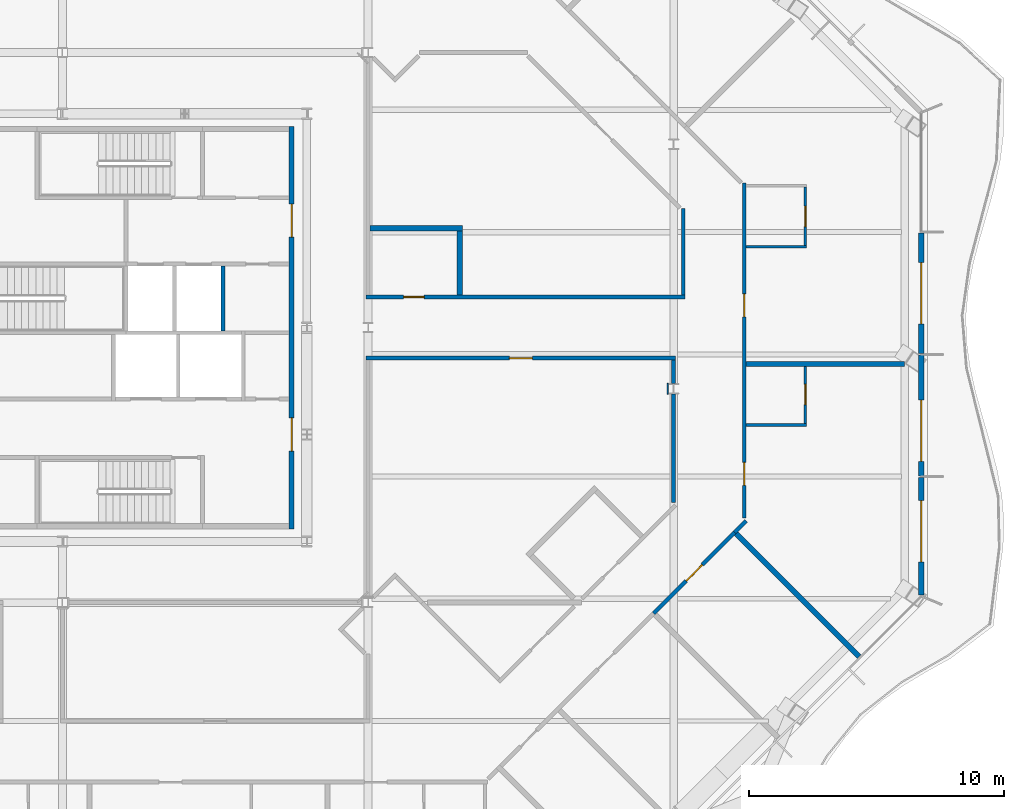
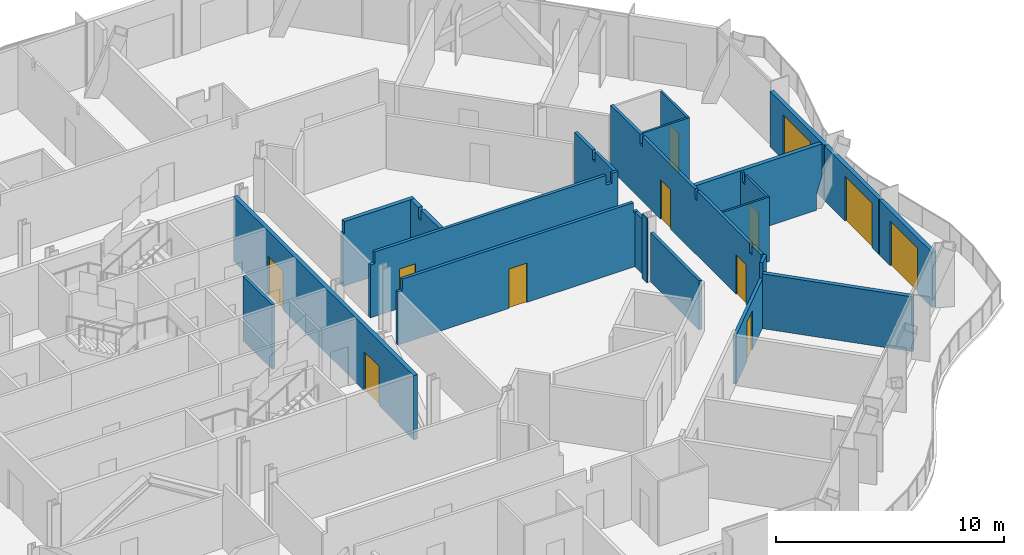
# One storey, part 10 of 19: 22 walls, 12 doors, 12 openings.
"""IFC4 building model written with IfcOpenShell, lengths in metres."""

from ifc_helpers import new_model, si_unit, direction, frame, frame_2d, origin, place, context, subcontext, project, spatial, polyline, rectangle, outline, extrude, material, layer, layer_set, type_object, element, fill, save


model = new_model("IFC4")

# Units and contexts
model_context = context("Model", 3, precision=1e-05, world=origin(), true_north=direction((0.0, 1.0)))
body_context = subcontext(model_context, "Body", "Model", "MODEL_VIEW")
ifc_project = project(units=[si_unit("LENGTHUNIT", "METRE"), si_unit("AREAUNIT", "SQUARE_METRE"), si_unit("VOLUMEUNIT", "CUBIC_METRE"), si_unit("PLANEANGLEUNIT", "RADIAN"), si_unit("MASSUNIT", "GRAM", prefix="KILO")], contexts=[model_context])

# Site, building, storey
site_placement = place(None, origin())
site = spatial("IfcSite", under=ifc_project, at=site_placement, CompositionType="ELEMENT")
building_placement = place(site_placement, origin())
building = spatial("IfcBuilding", under=site, at=building_placement, Name="Cairn Pilgrim Tower", CompositionType="ELEMENT")
storey_placement = place(building_placement, frame((0.0, 0.0, 190.199951171875)))
storey = spatial("IfcBuildingStorey", under=building, at=storey_placement, Name="L48", CompositionType="ELEMENT", Elevation=190.199951171875)

# Wall, opening, door
ifc_material_1 = material(Name="Bronze anodised aluminium insulated sandwich panel with mineral wool fill", Category="aluminium")
ifc_layer_1 = layer(ifc_material_1, 0.199951171875)
ifc_layer_set_1 = layer_set([ifc_layer_1], Name="BRONZE INFILL FRAME WALL 200")
wall_type_1 = type_object("IfcWallType", Name="BRONZE INFILL FRAME WALL 200", PredefinedType="NOTDEFINED", material=ifc_layer_set_1)
wall_1_placement = place(storey_placement, frame((40.925048828125, -8.1064453125, 0.0), z_axis=(0.0, 0.0, 1.0), x_axis=(0.0, 1.0, 0.0)))
wall_1 = element("IfcWall", 1, at=wall_1_placement, inside=storey, type_object=wall_type_1, Name="Bronze infill frame wall IW-E1", PredefinedType="NOTDEFINED", context=body_context, shape_type="SweptSolid", body=[
    extrude(rectangle(XDim=4.62646484375, YDim=0.199951171875, at=frame_2d((2.313232421875, 0.0))), origin(), (0.0, 0.0, 1.0), 2.949951171875),
])
opening_1_placement = place(wall_1_placement, frame((1.308349609375, 0.0, 0.0)))
opening_1 = element("IfcOpeningElement", 2, at=opening_1_placement, cuts=wall_1, Name="Opening 4806B", PredefinedType="OPENING", context=body_context, shape_type="SweptSolid", body=[
    extrude(rectangle(XDim=2.39990234375, YDim=2.39990234375, at=frame_2d((1.199951171875, 1.199951171875))), frame((0.0, 0.10986328125, 0.0), z_axis=(0.0, -1.0, 0.0), x_axis=(1.0, 0.0, 0.0)), (0.0, 0.0, 1.0), 0.219970703125),
])
ifc_material_2 = material(Name="Bronze anodised aluminium frame with tinted low-E glass", Category="aluminium")
door_type_1 = type_object("IfcDoorType", Name="BALCONY SLIDING DOOR 2400x2400", OperationType="DOUBLE_DOOR_SLIDING", PredefinedType="DOOR", material=ifc_material_2)
door_1_placement = place(opening_1_placement, origin())
door_1 = element("IfcDoor", 3, at=door_1_placement, inside=storey, type_object=door_type_1, Name="Balcony sliding door 4806B", OperationType="SINGLE_SWING_LEFT", OverallHeight=2.39990234375, OverallWidth=2.39990234375, PredefinedType="DOOR", context=body_context, shape_type="SweptSolid", body=[
    extrude(rectangle(XDim=2.39990234375, YDim=2.39990234375, at=frame_2d((1.199951171875, 1.199951171875))), frame((0.0, 0.02490234375, 0.0), z_axis=(0.0, -1.0, 0.0), x_axis=(1.0, 0.0, 0.0)), (0.0, 0.0, 1.0), 0.050048828125),
])
fill(opening_1, door_1)

wall_2_placement = place(storey_placement, frame((40.925048828125, -3.419921875, 0.0), z_axis=(0.0, 0.0, 1.0), x_axis=(0.0, 1.0, 0.0)))
wall_2 = element("IfcWall", 4, at=wall_2_placement, inside=storey, type_object=wall_type_1, Name="Bronze infill frame wall IW-E2", PredefinedType="NOTDEFINED", context=body_context, shape_type="SweptSolid", body=[
    extrude(rectangle(XDim=4.739990234375, YDim=0.199951171875, at=frame_2d((2.3701171875, 0.0))), origin(), (0.0, 0.0, 1.0), 2.949951171875),
])
opening_2_placement = place(wall_2_placement, frame((0.570068359375, 0.0, 0.0)))
opening_2 = element("IfcOpeningElement", 5, at=opening_2_placement, cuts=wall_2, Name="Opening 4806B2", PredefinedType="OPENING", context=body_context, shape_type="SweptSolid", body=[
    extrude(rectangle(XDim=2.39990234375, YDim=2.39990234375, at=frame_2d((1.199951171875, 1.199951171875))), frame((0.0, 0.10986328125, 0.0), z_axis=(0.0, -1.0, 0.0), x_axis=(1.0, 0.0, 0.0)), (0.0, 0.0, 1.0), 0.219970703125),
])
door_2_placement = place(opening_2_placement, origin())
door_2 = element("IfcDoor", 6, at=door_2_placement, inside=storey, type_object=door_type_1, Name="Balcony sliding door 4806B2", OperationType="SINGLE_SWING_LEFT", OverallHeight=2.39990234375, OverallWidth=2.39990234375, PredefinedType="DOOR", context=body_context, shape_type="SweptSolid", body=[
    extrude(rectangle(XDim=2.39990234375, YDim=2.39990234375, at=frame_2d((1.199951171875, 1.199951171875))), frame((0.0, 0.02490234375, 0.0), z_axis=(0.0, -1.0, 0.0), x_axis=(1.0, 0.0, 0.0)), (0.0, 0.0, 1.0), 0.050048828125),
])
fill(opening_2, door_2)

wall_3_placement = place(storey_placement, frame((40.925048828125, 1.3798828125, 0.0), z_axis=(0.0, 0.0, 1.0), x_axis=(0.0, 1.0, 0.0)))
wall_3 = element("IfcWall", 7, at=wall_3_placement, inside=storey, type_object=wall_type_1, Name="Bronze infill frame wall IW-E3", PredefinedType="NOTDEFINED", context=body_context, shape_type="SweptSolid", body=[
    extrude(rectangle(XDim=4.740234375, YDim=0.199951171875, at=frame_2d((2.3701171875, 0.0))), origin(), (0.0, 0.0, 1.0), 2.949951171875),
])
opening_3_placement = place(wall_3_placement, frame((1.169921875, 0.0, 0.0)))
opening_3 = element("IfcOpeningElement", 8, at=opening_3_placement, cuts=wall_3, Name="Opening 4807B", PredefinedType="OPENING", context=body_context, shape_type="SweptSolid", body=[
    extrude(rectangle(XDim=2.39990234375, YDim=2.39990234375, at=frame_2d((1.199951171875, 1.199951171875))), frame((0.0, 0.10986328125, 0.0), z_axis=(0.0, -1.0, 0.0), x_axis=(1.0, 0.0, 0.0)), (0.0, 0.0, 1.0), 0.219970703125),
])
door_3_placement = place(opening_3_placement, origin())
door_3 = element("IfcDoor", 9, at=door_3_placement, inside=storey, type_object=door_type_1, Name="Balcony sliding door 4807B", OperationType="SINGLE_SWING_LEFT", OverallHeight=2.39990234375, OverallWidth=2.39990234375, PredefinedType="DOOR", context=body_context, shape_type="SweptSolid", body=[
    extrude(rectangle(XDim=2.39990234375, YDim=2.39990234375, at=frame_2d((1.199951171875, 1.199951171875))), frame((0.0, 0.02490234375, 0.0), z_axis=(0.0, -1.0, 0.0), x_axis=(1.0, 0.0, 0.0)), (0.0, 0.0, 1.0), 0.050048828125),
])
fill(opening_3, door_3)

# Wall, openings, doors
ifc_material_3 = material(Name="Concrete C32/40", Category="concrete")
ifc_layer_2 = layer(ifc_material_3, 0.199951171875)
ifc_layer_set_2 = layer_set([ifc_layer_2], Name="CORE OUTER WALL 200 EI 120")
wall_type_2 = type_object("IfcWallType", Name="CORE OUTER WALL 200 EI 120", PredefinedType="SOLIDWALL", material=ifc_layer_set_2)
wall_4_placement = place(storey_placement, frame((16.199951171875, -5.5, 0.0), z_axis=(0.0, 0.0, 1.0), x_axis=(0.0, 1.0, 0.0)))
wall_4 = element("IfcWall", 10, at=wall_4_placement, inside=storey, type_object=wall_type_2, Name="CW:L48:V29", PredefinedType="SOLIDWALL", context=body_context, shape_type="SweptSolid", body=[
    extrude(rectangle(XDim=15.800048828125, YDim=0.199951171875, at=frame_2d((7.89990234375, 0.0))), origin(), (0.0, 0.0, 1.0), 3.449951171875),
])
opening_4_placement = place(wall_4_placement, frame((3.050048828125, 0.0, 0.0)))
opening_4 = element("IfcOpeningElement", 11, at=opening_4_placement, cuts=wall_4, Name="Opening CD-E1", PredefinedType="OPENING", context=body_context, shape_type="SweptSolid", body=[
    extrude(rectangle(XDim=1.300048828125, YDim=2.10009765625, at=frame_2d((0.64990234375, 1.050048828125))), frame((0.0, 0.10986328125, 0.0), z_axis=(0.0, -1.0, 0.0), x_axis=(1.0, 0.0, 0.0)), (0.0, 0.0, 1.0), 0.219970703125),
])
opening_5_placement = place(wall_4_placement, frame((11.449951171875, 0.0, 0.0)))
opening_5 = element("IfcOpeningElement", 12, at=opening_5_placement, cuts=wall_4, Name="Opening CD-E2", PredefinedType="OPENING", context=body_context, shape_type="SweptSolid", body=[
    extrude(rectangle(XDim=1.300048828125, YDim=2.10009765625, at=frame_2d((0.64990234375, 1.050048828125))), frame((0.0, 0.10986328125, 0.0), z_axis=(0.0, -1.0, 0.0), x_axis=(1.0, 0.0, 0.0)), (0.0, 0.0, 1.0), 0.219970703125),
])
ifc_material_4 = material(Name="Painted steel", Category="steel")
door_type_2 = type_object("IfcDoorType", Name="CORE LOBBY DOOR 1300x2100", OperationType="DOUBLE_DOOR_SINGLE_SWING", PredefinedType="DOOR", material=ifc_material_4)
door_4_placement = place(opening_4_placement, origin())
door_4 = element("IfcDoor", 13, at=door_4_placement, inside=storey, type_object=door_type_2, Name="CD-E1", OperationType="DOUBLE_DOOR_SINGLE_SWING", OverallHeight=2.10009765625, OverallWidth=1.300048828125, PredefinedType="DOOR", context=body_context, shape_type="SweptSolid", body=[
    extrude(rectangle(XDim=1.300048828125, YDim=2.10009765625, at=frame_2d((0.64990234375, 1.050048828125))), frame((0.0, 0.02490234375, 0.0), z_axis=(0.0, -1.0, 0.0), x_axis=(1.0, 0.0, 0.0)), (0.0, 0.0, 1.0), 0.050048828125),
])
fill(opening_4, door_4)
door_5_placement = place(opening_5_placement, origin())
door_5 = element("IfcDoor", 14, at=door_5_placement, inside=storey, type_object=door_type_2, Name="CD-E2", OperationType="DOUBLE_DOOR_SINGLE_SWING", OverallHeight=2.10009765625, OverallWidth=1.300048828125, PredefinedType="DOOR", context=body_context, shape_type="SweptSolid", body=[
    extrude(rectangle(XDim=1.300048828125, YDim=2.10009765625, at=frame_2d((0.64990234375, 1.050048828125))), frame((0.0, 0.02490234375, 0.0), z_axis=(0.0, -1.0, 0.0), x_axis=(1.0, 0.0, 0.0)), (0.0, 0.0, 1.0), 0.050048828125),
])
fill(opening_5, door_5)

# Walls
ifc_layer_3 = layer(ifc_material_3, 0.14990234375)
ifc_layer_set_3 = layer_set([ifc_layer_3], Name="CORE SHAFT WALL 150 EI 120")
wall_type_3 = type_object("IfcWallType", Name="CORE SHAFT WALL 150 EI 120", PredefinedType="SOLIDWALL", material=ifc_layer_set_3)
wall_5_placement = place(storey_placement, frame((13.5, 2.27490234375, 0.0), z_axis=(0.0, 0.0, 1.0), x_axis=(0.0, 1.0, 0.0)))
element("IfcWall", 15, at=wall_5_placement, inside=storey, type_object=wall_type_3, Name="CW:L48:V27", PredefinedType="SOLIDWALL", context=body_context, shape_type="SweptSolid", body=[
    extrude(rectangle(XDim=2.550048828125, YDim=0.14990234375, at=frame_2d((1.27490234375, 0.0))), origin(), (0.0, 0.0, 1.0), 3.449951171875),
])
ifc_material_5 = material(Name="Gypsum partition")
ifc_layer_4 = layer(ifc_material_5, 0.10009765625)
ifc_layer_set_4 = layer_set([ifc_layer_4], Name="PARTITION 100 DRYWALL")
wall_type_4 = type_object("IfcWallType", Name="PARTITION 100 DRYWALL", PredefinedType="PARTITIONING", material=ifc_layer_set_4)
wall_6_placement = place(storey_placement, frame((34.050048828125, -1.425048828125, 0.0), z_axis=(0.0, 0.0, 1.0), x_axis=(1.0, 0.0, 0.0)))
element("IfcWall", 16, at=wall_6_placement, inside=storey, type_object=wall_type_4, Name="PARTITION W050", PredefinedType="PARTITIONING", context=body_context, shape_type="SweptSolid", body=[
    extrude(rectangle(XDim=2.375, YDim=0.10009765625, at=frame_2d((1.1875, 0.0))), origin(), (0.0, 0.0, 1.0), 3.449951171875),
])

# Wall, opening, door
wall_7_placement = place(storey_placement, frame((36.375, -1.375, 0.0), z_axis=(0.0, 0.0, 1.0), x_axis=(0.0, 1.0, 0.0)))
wall_7 = element("IfcWall", 17, at=wall_7_placement, inside=storey, type_object=wall_type_4, Name="PARTITION W051", PredefinedType="PARTITIONING", context=body_context, shape_type="SweptSolid", body=[
    extrude(outline(polyline([(0.0, 0.0), (2.25, 0.0), (2.25, 3.449951171875), (2.074951171875, 3.449951171875), (2.072998046875, 2.929931640625), (1.875, 2.929931640625), (1.873046875, 3.449951171875), (0.0, 3.449951171875), (0.0, 0.0)])), frame((0.0, 0.050048828125, 0.0), z_axis=(0.0, -1.0, 0.0), x_axis=(1.0, 0.0, 0.0)), (0.0, 0.0, 1.0), 0.10009765625),
])
opening_6_placement = place(wall_7_placement, frame((0.75, 0.0, 0.0)))
opening_6 = element("IfcOpeningElement", 18, at=opening_6_placement, cuts=wall_7, Name="Opening 4806A", PredefinedType="OPENING", context=body_context, shape_type="SweptSolid", body=[
    extrude(rectangle(XDim=0.800048828125, YDim=2.10009765625, at=frame_2d((0.39990234375, 1.050048828125))), frame((0.0, 0.06005859375, 0.0), z_axis=(0.0, -1.0, 0.0), x_axis=(1.0, 0.0, 0.0)), (0.0, 0.0, 1.0), 0.1201171875),
])
ifc_material_6 = material(Name="Timber door leaf", Category="wood")
door_type_3 = type_object("IfcDoorType", Name="WC DOOR 800x2100", OperationType="NOTDEFINED", PredefinedType="DOOR", material=ifc_material_6)
door_6_placement = place(opening_6_placement, frame((0.800048828125, 0.0, 0.0), z_axis=(0.0, 0.0, 1.0), x_axis=(-1.0, 0.0, 0.0)))
door_6 = element("IfcDoor", 19, at=door_6_placement, inside=storey, type_object=door_type_3, Name="DOOR 4806A", OperationType="SINGLE_SWING_RIGHT", OverallHeight=2.10009765625, OverallWidth=0.800048828125, PredefinedType="DOOR", context=body_context, shape_type="SweptSolid", body=[
    extrude(rectangle(XDim=0.800048828125, YDim=2.10009765625, at=frame_2d((0.39990234375, 1.050048828125))), frame((0.0, 0.02490234375, 0.0), z_axis=(0.0, -1.0, 0.0), x_axis=(1.0, 0.0, 0.0)), (0.0, 0.0, 1.0), 0.050048828125),
])
fill(opening_6, door_6)

# Wall
wall_8_placement = place(storey_placement, frame((34.050048828125, 5.568115234375, 0.0), z_axis=(0.0, 0.0, 1.0), x_axis=(1.0, 0.0, 0.0)))
element("IfcWall", 20, at=wall_8_placement, inside=storey, type_object=wall_type_4, Name="PARTITION W063", PredefinedType="PARTITIONING", context=body_context, shape_type="SweptSolid", body=[
    extrude(rectangle(XDim=2.375, YDim=0.10009765625, at=frame_2d((1.1875, 0.0))), origin(), (0.0, 0.0, 1.0), 3.449951171875),
])

# Wall, opening, door
wall_9_placement = place(storey_placement, frame((36.375, 5.617919921875, 0.0), z_axis=(0.0, 0.0, 1.0), x_axis=(0.0, 1.0, 0.0)))
wall_9 = element("IfcWall", 21, at=wall_9_placement, inside=storey, type_object=wall_type_4, Name="PARTITION W064", PredefinedType="PARTITIONING", context=body_context, shape_type="SweptSolid", body=[
    extrude(rectangle(XDim=2.300048828125, YDim=0.10009765625, at=frame_2d((1.14990234375, 0.0))), origin(), (0.0, 0.0, 1.0), 3.449951171875),
])
opening_7_placement = place(wall_9_placement, frame((0.75, 0.0, 0.0)))
opening_7 = element("IfcOpeningElement", 22, at=opening_7_placement, cuts=wall_9, Name="Opening 4807A", PredefinedType="OPENING", context=body_context, shape_type="SweptSolid", body=[
    extrude(rectangle(XDim=0.800048828125, YDim=2.10009765625, at=frame_2d((0.39990234375, 1.050048828125))), frame((0.0, 0.06005859375, 0.0), z_axis=(0.0, -1.0, 0.0), x_axis=(1.0, 0.0, 0.0)), (0.0, 0.0, 1.0), 0.1201171875),
])
door_7_placement = place(opening_7_placement, frame((0.800048828125, 0.0, 0.0), z_axis=(0.0, 0.0, 1.0), x_axis=(-1.0, 0.0, 0.0)))
door_7 = element("IfcDoor", 23, at=door_7_placement, inside=storey, type_object=door_type_3, Name="DOOR 4807A", OperationType="SINGLE_SWING_RIGHT", OverallHeight=2.10009765625, OverallWidth=0.800048828125, PredefinedType="DOOR", context=body_context, shape_type="SweptSolid", body=[
    extrude(rectangle(XDim=0.800048828125, YDim=2.10009765625, at=frame_2d((0.39990234375, 1.050048828125))), frame((0.0, 0.02490234375, 0.0), z_axis=(0.0, -1.0, 0.0), x_axis=(1.0, 0.0, 0.0)), (0.0, 0.0, 1.0), 0.050048828125),
])
fill(opening_7, door_7)

ifc_layer_5 = layer(ifc_material_5, 0.14990234375)
ifc_layer_set_5 = layer_set([ifc_layer_5], Name="PARTITION 150 DRYWALL EI 60")
wall_type_5 = type_object("IfcWallType", Name="PARTITION 150 DRYWALL EI 60", PredefinedType="PARTITIONING", material=ifc_layer_set_5)
wall_10_placement = place(storey_placement, frame((30.4208984375, -8.821044921875, 0.0), z_axis=(0.0, 0.0, 1.0), x_axis=(0.70724246319, 0.706971073143, 0.0)))
wall_10 = element("IfcWall", 24, at=wall_10_placement, inside=storey, type_object=wall_type_5, Name="PARTITION W035", PredefinedType="PARTITIONING", context=body_context, shape_type="SweptSolid", body=[
    extrude(rectangle(XDim=4.498046875, YDim=0.14990234375, at=frame_2d((2.2490234375, 0.0))), origin(), (0.0, 0.0, 1.0), 2.630126953125),
])
opening_8_placement = place(wall_10_placement, frame((1.798828125, 0.0, 0.0)))
opening_8 = element("IfcOpeningElement", 25, at=opening_8_placement, cuts=wall_10, Name="Opening 4805", PredefinedType="OPENING", context=body_context, shape_type="SweptSolid", body=[
    extrude(rectangle(XDim=0.89990234375, YDim=2.10009765625, at=frame_2d((0.449951171875, 1.050048828125))), frame((0.0, 0.0849609375, 0.0), z_axis=(0.0, -1.0, 0.0), x_axis=(1.0, 0.0, 0.0)), (0.0, 0.0, 1.0), 0.169921875),
])
door_type_4 = type_object("IfcDoorType", Name="SERVICE DOOR 900x2100 FD30S", OperationType="NOTDEFINED", PredefinedType="DOOR", material=ifc_material_6)
door_8_placement = place(opening_8_placement, frame((0.89990234375, 0.0, 0.0), z_axis=(0.0, 0.0, 1.0), x_axis=(-1.0, 0.0, 0.0)))
door_8 = element("IfcDoor", 26, at=door_8_placement, inside=storey, type_object=door_type_4, Name="DOOR 4805", OperationType="SINGLE_SWING_RIGHT", OverallHeight=2.10009765625, OverallWidth=0.89990234375, PredefinedType="DOOR", context=body_context, shape_type="SweptSolid", body=[
    extrude(rectangle(XDim=0.89990234375, YDim=2.10009765625, at=frame_2d((0.449951171875, 1.050048828125))), frame((0.0, 0.02490234375, 0.0), z_axis=(0.0, -1.0, 0.0), x_axis=(1.0, 0.0, 0.0)), (0.0, 0.0, 1.0), 0.050048828125),
])
fill(opening_8, door_8)

# Wall
wall_11_placement = place(storey_placement, frame((33.60205078125, -5.64111328125, 0.0), z_axis=(0.0, 0.0, 1.0), x_axis=(0.707106781187, 0.707106781187, 0.0)))
element("IfcWall", 27, at=wall_11_placement, inside=storey, type_object=wall_type_5, Name="PARTITION W047", PredefinedType="PARTITIONING", context=body_context, shape_type="SweptSolid", body=[
    extrude(rectangle(XDim=0.633544921875, YDim=0.14990234375, at=frame_2d((0.31689453125, 0.0))), origin(), (0.0, 0.0, 1.0), 3.449951171875),
])

# Wall, openings, doors
wall_12_placement = place(storey_placement, frame((33.97509765625, -5.0869140625, 0.0), z_axis=(0.0, 0.0, 1.0), x_axis=(0.0, 1.0, 0.0)))
wall_12 = element("IfcWall", 28, at=wall_12_placement, inside=storey, type_object=wall_type_5, Name="PARTITION W048", PredefinedType="PARTITIONING", context=body_context, shape_type="SweptSolid", body=[
    extrude(outline(polyline([(0.0, 0.0), (13.1611328125, 0.0), (13.160888671875, 3.449951171875), (10.5869140625, 3.449951171875), (10.5849609375, 2.929931640625), (10.386962890625, 2.929931640625), (10.385009765625, 3.449951171875), (5.786865234375, 3.449951171875), (5.784912109375, 2.929931640625), (5.5869140625, 2.929931640625), (5.5849609375, 3.449951171875), (0.98681640625, 3.449951171875), (0.98486328125, 2.929931640625), (0.786865234375, 2.929931640625), (0.784912109375, 3.449951171875), (0.0, 3.449951171875), (0.0, 0.0)])), frame((0.0, 0.074951171875, 0.0), z_axis=(0.0, -1.0, 0.0), x_axis=(1.0, 0.0, 0.0)), (0.0, 0.0, 1.0), 0.14990234375),
])
opening_9_placement = place(wall_12_placement, frame((1.291015625, 0.0, 0.0)))
opening_9 = element("IfcOpeningElement", 29, at=opening_9_placement, cuts=wall_12, Name="Opening 4806", PredefinedType="OPENING", context=body_context, shape_type="SweptSolid", body=[
    extrude(rectangle(XDim=0.89990234375, YDim=2.10009765625, at=frame_2d((0.449951171875, 1.050048828125))), frame((0.0, 0.0849609375, 0.0), z_axis=(0.0, -1.0, 0.0), x_axis=(1.0, 0.0, 0.0)), (0.0, 0.0, 1.0), 0.169921875),
])
opening_10_placement = place(wall_12_placement, frame((7.908935546875, 0.0, 0.0)))
opening_10 = element("IfcOpeningElement", 30, at=opening_10_placement, cuts=wall_12, Name="Opening 4807", PredefinedType="OPENING", context=body_context, shape_type="SweptSolid", body=[
    extrude(rectangle(XDim=0.89990234375, YDim=2.10009765625, at=frame_2d((0.449951171875, 1.050048828125))), frame((0.0, 0.0849609375, 0.0), z_axis=(0.0, -1.0, 0.0), x_axis=(1.0, 0.0, 0.0)), (0.0, 0.0, 1.0), 0.169921875),
])
door_type_5 = type_object("IfcDoorType", Name="ROOM DOOR 900x2100 FD30S", OperationType="NOTDEFINED", PredefinedType="DOOR", material=ifc_material_6)
door_9_placement = place(opening_9_placement, frame((0.89990234375, 0.0, 0.0), z_axis=(0.0, 0.0, 1.0), x_axis=(-1.0, 0.0, 0.0)))
door_9 = element("IfcDoor", 31, at=door_9_placement, inside=storey, type_object=door_type_5, Name="DOOR 4806", OperationType="SINGLE_SWING_RIGHT", OverallHeight=2.10009765625, OverallWidth=0.89990234375, PredefinedType="DOOR", context=body_context, shape_type="SweptSolid", body=[
    extrude(rectangle(XDim=0.89990234375, YDim=2.10009765625, at=frame_2d((0.449951171875, 1.050048828125))), frame((0.0, 0.02490234375, 0.0), z_axis=(0.0, -1.0, 0.0), x_axis=(1.0, 0.0, 0.0)), (0.0, 0.0, 1.0), 0.050048828125),
])
fill(opening_9, door_9)
door_10_placement = place(opening_10_placement, frame((0.89990234375, 0.0, 0.0), z_axis=(0.0, 0.0, 1.0), x_axis=(-1.0, 0.0, 0.0)))
door_10 = element("IfcDoor", 32, at=door_10_placement, inside=storey, type_object=door_type_5, Name="DOOR 4807", OperationType="SINGLE_SWING_RIGHT", OverallHeight=2.10009765625, OverallWidth=0.89990234375, PredefinedType="DOOR", context=body_context, shape_type="SweptSolid", body=[
    extrude(rectangle(XDim=0.89990234375, YDim=2.10009765625, at=frame_2d((0.449951171875, 1.050048828125))), frame((0.0, 0.02490234375, 0.0), z_axis=(0.0, -1.0, 0.0), x_axis=(1.0, 0.0, 0.0)), (0.0, 0.0, 1.0), 0.050048828125),
])
fill(opening_10, door_10)

# Walls
wall_13_placement = place(storey_placement, frame((31.199951171875, -4.466796875, 0.0), z_axis=(0.0, 0.0, 1.0), x_axis=(0.0, 1.0, 0.0)))
element("IfcWall", 33, at=wall_13_placement, inside=storey, type_object=wall_type_5, Name="PARTITION W049", PredefinedType="PARTITIONING", context=body_context, shape_type="SweptSolid", body=[
    extrude(rectangle(XDim=4.25439453125, YDim=0.14990234375, at=frame_2d((2.127197265625, 0.0))), origin(), (0.0, 0.0, 1.0), 2.630126953125),
])
wall_14_placement = place(storey_placement, frame((31.199951171875, 0.21240234375, 0.0), z_axis=(0.0, 0.0, 1.0), x_axis=(0.0, 1.0, 0.0)))
element("IfcWall", 34, at=wall_14_placement, inside=storey, type_object=wall_type_5, Name="PARTITION W052", PredefinedType="PARTITIONING", context=body_context, shape_type="SweptSolid", body=[
    extrude(rectangle(XDim=0.91259765625, YDim=0.14990234375, at=frame_2d((0.456298828125, 0.0))), origin(), (0.0, 0.0, 1.0), 2.929931640625),
])

# Wall, opening, door
wall_15_placement = place(storey_placement, frame((19.125, 1.199951171875, 0.0), z_axis=(0.0, 0.0, 1.0), x_axis=(1.0, 0.0, 0.0)))
wall_15 = element("IfcWall", 35, at=wall_15_placement, inside=storey, type_object=wall_type_5, Name="PARTITION W057", PredefinedType="PARTITIONING", context=body_context, shape_type="SweptSolid", body=[
    extrude(outline(polyline([(0.0, 0.0), (12.14990234375, 0.0), (12.14990234375, 2.929931640625), (11.925048828125, 2.929931640625), (11.923095703125, 3.449951171875), (0.22509765625, 3.449951171875), (0.222900390625, 2.830078125), (0.0, 2.830078125), (0.0, 0.0)])), frame((0.0, 0.074951171875, 0.0), z_axis=(0.0, -1.0, 0.0), x_axis=(1.0, 0.0, 0.0)), (0.0, 0.0, 1.0), 0.14990234375),
])
opening_11_placement = place(wall_15_placement, frame((5.625, 0.0, 0.0)))
opening_11 = element("IfcOpeningElement", 36, at=opening_11_placement, cuts=wall_15, Name="Opening 4823", PredefinedType="OPENING", context=body_context, shape_type="SweptSolid", body=[
    extrude(rectangle(XDim=0.89990234375, YDim=2.10009765625, at=frame_2d((0.449951171875, 1.050048828125))), frame((0.0, 0.0849609375, 0.0), z_axis=(0.0, -1.0, 0.0), x_axis=(1.0, 0.0, 0.0)), (0.0, 0.0, 1.0), 0.169921875),
])
door_11_placement = place(opening_11_placement, frame((0.89990234375, 0.0, 0.0), z_axis=(0.0, 0.0, 1.0), x_axis=(-1.0, 0.0, 0.0)))
door_11 = element("IfcDoor", 37, at=door_11_placement, inside=storey, type_object=door_type_4, Name="DOOR 4823", OperationType="SINGLE_SWING_RIGHT", OverallHeight=2.10009765625, OverallWidth=0.89990234375, PredefinedType="DOOR", context=body_context, shape_type="SweptSolid", body=[
    extrude(rectangle(XDim=0.89990234375, YDim=2.10009765625, at=frame_2d((0.449951171875, 1.050048828125))), frame((0.0, 0.02490234375, 0.0), z_axis=(0.0, -1.0, 0.0), x_axis=(1.0, 0.0, 0.0)), (0.0, 0.0, 1.0), 0.050048828125),
])
fill(opening_11, door_11)

wall_16_placement = place(storey_placement, frame((19.125, 3.60009765625, 0.0), z_axis=(0.0, 0.0, 1.0), x_axis=(1.0, 0.0, 0.0)))
wall_16 = element("IfcWall", 38, at=wall_16_placement, inside=storey, type_object=wall_type_5, Name="PARTITION W059", PredefinedType="PARTITIONING", context=body_context, shape_type="SweptSolid", body=[
    extrude(outline(polyline([(0.0, 0.0), (12.52490234375, 0.0), (12.52490234375, 3.449951171875), (12.22509765625, 3.449951171875), (12.222900390625, 2.929931640625), (11.925048828125, 2.929931640625), (11.923095703125, 3.449951171875), (0.22509765625, 3.449951171875), (0.222900390625, 2.830078125), (0.0, 2.830078125), (0.0, 0.0)])), frame((0.0, 0.074951171875, 0.0), z_axis=(0.0, -1.0, 0.0), x_axis=(1.0, 0.0, 0.0)), (0.0, 0.0, 1.0), 0.14990234375),
])
opening_12_placement = place(wall_16_placement, frame((1.47509765625, 0.0, 0.0)))
opening_12 = element("IfcOpeningElement", 39, at=opening_12_placement, cuts=wall_16, Name="Opening 4820", PredefinedType="OPENING", context=body_context, shape_type="SweptSolid", body=[
    extrude(rectangle(XDim=0.800048828125, YDim=2.10009765625, at=frame_2d((0.39990234375, 1.050048828125))), frame((0.0, 0.0849609375, 0.0), z_axis=(0.0, -1.0, 0.0), x_axis=(1.0, 0.0, 0.0)), (0.0, 0.0, 1.0), 0.169921875),
])
door_type_6 = type_object("IfcDoorType", Name="WC DOOR 800x2100 FD30S", OperationType="NOTDEFINED", PredefinedType="DOOR", material=ifc_material_6)
door_12_placement = place(opening_12_placement, origin())
door_12 = element("IfcDoor", 40, at=door_12_placement, inside=storey, type_object=door_type_6, Name="DOOR 4820", OperationType="SINGLE_SWING_RIGHT", OverallHeight=2.10009765625, OverallWidth=0.800048828125, PredefinedType="DOOR", context=body_context, shape_type="SweptSolid", body=[
    extrude(rectangle(XDim=0.800048828125, YDim=2.10009765625, at=frame_2d((0.39990234375, 1.050048828125))), frame((0.0, 0.02490234375, 0.0), z_axis=(0.0, -1.0, 0.0), x_axis=(1.0, 0.0, 0.0)), (0.0, 0.0, 1.0), 0.050048828125),
])
fill(opening_12, door_12)

# Walls
wall_17_placement = place(storey_placement, frame((31.574951171875, 3.675048828125, 0.0), z_axis=(0.0, 0.0, 1.0), x_axis=(0.0, 1.0, 0.0)))
element("IfcWall", 41, at=wall_17_placement, inside=storey, type_object=wall_type_5, Name="PARTITION W062", PredefinedType="PARTITIONING", context=body_context, shape_type="SweptSolid", body=[
    extrude(outline(polyline([(0.0, 0.0), (3.404052734375, 0.0), (3.404052734375, 3.449951171875), (1.824951171875, 3.449951171875), (1.822998046875, 2.929931640625), (1.625, 2.929931640625), (1.623046875, 3.449951171875), (0.0, 3.449951171875), (0.0, 0.0)])), frame((0.0, 0.074951171875, 0.0), z_axis=(0.0, -1.0, 0.0), x_axis=(1.0, 0.0, 0.0)), (0.0, 0.0, 1.0), 0.14990234375),
])
ifc_layer_6 = layer(ifc_material_5, 0.050048828125)
ifc_layer_set_6 = layer_set([ifc_layer_6], Name="PARTITION 50 DRYWALL EI 60")
wall_type_6 = type_object("IfcWallType", Name="PARTITION 50 DRYWALL EI 60", PredefinedType="PARTITIONING", material=ifc_layer_set_6)
wall_18_placement = place(storey_placement, frame((30.970458984375, -0.21240234375, 0.0), z_axis=(0.0, 0.0, 1.0), x_axis=(0.0, 1.0, 0.0)))
element("IfcWall", 42, at=wall_18_placement, inside=storey, type_object=wall_type_6, Name="COLUMN CASING WC14", PredefinedType="PARTITIONING", context=body_context, shape_type="SweptSolid", body=[
    extrude(rectangle(XDim=0.4248046875, YDim=0.050048828125, at=frame_2d((0.21240234375, 0.0))), origin(), (0.0, 0.0, 1.0), 3.449951171875),
])
ifc_layer_7 = layer(ifc_material_5, 0.199951171875)
ifc_layer_set_7 = layer_set([ifc_layer_7], Name="SHAFT WALL 200 GYPSUM EI 60")
wall_type_7 = type_object("IfcWallType", Name="SHAFT WALL 200 GYPSUM EI 60", PredefinedType="PARTITIONING", material=ifc_layer_set_7)
wall_19_placement = place(storey_placement, frame((38.48291015625, -10.52197265625, 0.0), z_axis=(0.0, 0.0, 1.0), x_axis=(-0.707106781187, 0.707106781187, 0.0)))
element("IfcWall", 43, at=wall_19_placement, inside=storey, type_object=wall_type_7, Name="PARTITION W029", PredefinedType="PARTITIONING", context=body_context, shape_type="SweptSolid", body=[
    extrude(rectangle(XDim=6.82763671875, YDim=0.199951171875, at=frame_2d((3.413818359375, 0.0))), origin(), (0.0, 0.0, 1.0), 2.929931640625),
])
wall_20_placement = place(storey_placement, frame((34.050048828125, 0.97509765625, 0.0), z_axis=(0.0, 0.0, 1.0), x_axis=(1.0, 0.0, 0.0)))
element("IfcWall", 44, at=wall_20_placement, inside=storey, type_object=wall_type_7, Name="PARTITION W055", PredefinedType="PARTITIONING", context=body_context, shape_type="SweptSolid", body=[
    extrude(outline(polyline([(0.0, 0.0), (6.0966796875, 0.0), (6.1083984375, 0.862548828125), (6.3779296875, 1.72509765625), (6.3779296875, 2.587646484375), (6.3779296875, 3.449951171875), (0.0, 3.449951171875), (0.0, 2.587646484375), (0.0, 1.72509765625), (0.0, 0.862548828125), (0.0, 0.0)])), frame((0.0, 0.10009765625, 0.0), z_axis=(0.0, -1.0, 0.0), x_axis=(1.0, 0.0, 0.0)), (0.0, 0.0, 1.0), 0.199951171875),
])
wall_21_placement = place(storey_placement, frame((22.800048828125, 3.675048828125, 0.0), z_axis=(0.0, 0.0, 1.0), x_axis=(0.0, 1.0, 0.0)))
element("IfcWall", 45, at=wall_21_placement, inside=storey, type_object=wall_type_7, Name="PARTITION W061", PredefinedType="PARTITIONING", context=body_context, shape_type="SweptSolid", body=[
    extrude(outline(polyline([(0.0, 0.0), (2.52490234375, 0.0), (2.52490234375, 3.449951171875), (1.830078125, 3.449951171875), (1.827880859375, 2.880126953125), (1.6201171875, 2.880126953125), (1.617919921875, 3.449951171875), (0.0, 3.449951171875), (0.0, 0.0)])), frame((0.0, 0.10009765625, 0.0), z_axis=(0.0, -1.0, 0.0), x_axis=(1.0, 0.0, 0.0)), (0.0, 0.0, 1.0), 0.199951171875),
])
wall_22_placement = place(storey_placement, frame((19.27490234375, 6.300048828125, 0.0), z_axis=(0.0, 0.0, 1.0), x_axis=(1.0, 0.0, 0.0)))
element("IfcWall", 46, at=wall_22_placement, inside=storey, type_object=wall_type_7, Name="PARTITION W065", PredefinedType="PARTITIONING", context=body_context, shape_type="SweptSolid", body=[
    extrude(outline(polyline([(0.0, 0.0), (3.625, 0.0), (3.625, 3.449951171875), (0.074951171875, 3.449951171875), (0.072998046875, 2.830078125), (0.0, 2.830078125), (0.0, 0.0)])), frame((0.0, 0.10009765625, 0.0), z_axis=(0.0, -1.0, 0.0), x_axis=(1.0, 0.0, 0.0)), (0.0, 0.0, 1.0), 0.199951171875),
])

save(model, "model.ifc")
